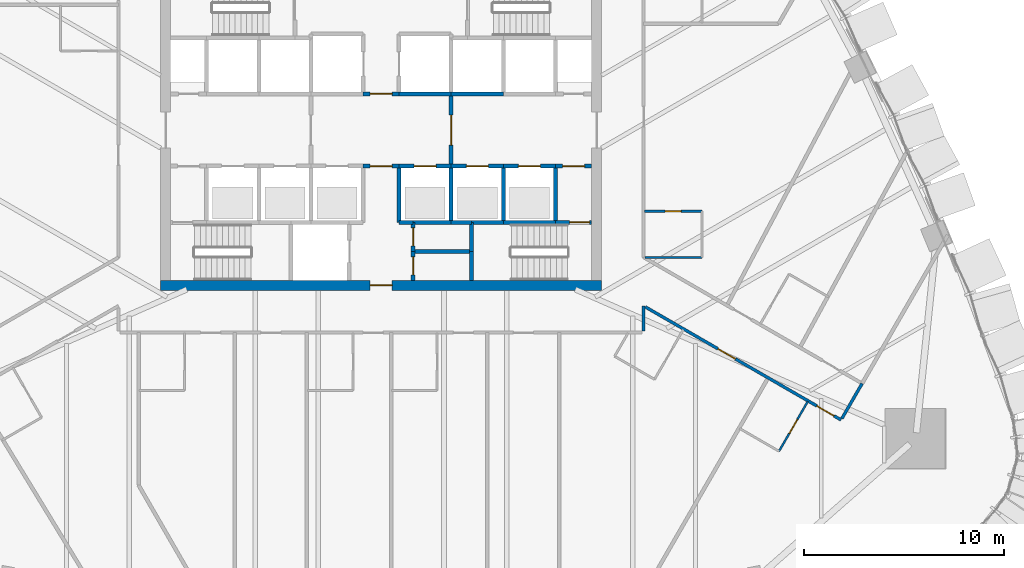
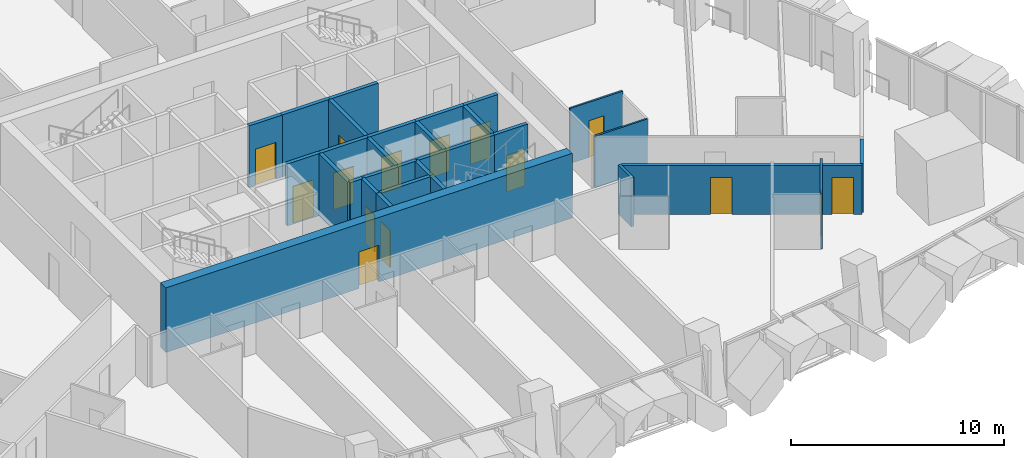
# One storey, part 15 of 22: 31 walls, 15 doors, 15 openings.
"""IFC4 building model written with IfcOpenShell, lengths in metres."""

from ifc_helpers import new_model, si_unit, direction, frame, frame_2d, origin, place, context, subcontext, project, spatial, rectangle, extrude, material, layer, layer_set, type_object, element, fill, save


model = new_model("IFC4")

# Units and contexts
model_context = context("Model", 3, precision=1e-05, world=origin(), true_north=direction((0.0, 1.0)))
body_context = subcontext(model_context, "Body", "Model", "MODEL_VIEW")
ifc_project = project(units=[si_unit("LENGTHUNIT", "METRE"), si_unit("AREAUNIT", "SQUARE_METRE"), si_unit("VOLUMEUNIT", "CUBIC_METRE"), si_unit("PLANEANGLEUNIT", "RADIAN"), si_unit("MASSUNIT", "GRAM", prefix="KILO")], contexts=[model_context])

# Site, building, storey
site_placement = place(None, origin())
site = spatial("IfcSite", under=ifc_project, at=site_placement, CompositionType="ELEMENT")
building_placement = place(site_placement, origin())
building = spatial("IfcBuilding", under=site, at=building_placement, Name="Sierra Prisma Convention Tower", CompositionType="ELEMENT")
storey_placement = place(building_placement, frame((0.0, 0.0, 66.5)))
storey = spatial("IfcBuildingStorey", under=building, at=storey_placement, Name="L12", CompositionType="ELEMENT", Elevation=66.5)

# Wall, opening, door
ifc_material_1 = material(Name="Gypsum board partition", Category="gypsum")
ifc_layer_1 = layer(ifc_material_1, 0.10009765625)
ifc_layer_set_1 = layer_set([ifc_layer_1], Name="Bathroom partition 100")
wall_type_1 = type_object("IfcWallType", Name="Bathroom partition 100", PredefinedType="PARTITIONING", material=ifc_layer_set_1)
wall_1_placement = place(storey_placement, frame((13.1298828125, -4.05078125, 0.0), z_axis=(0.0, 0.0, 1.0), x_axis=(1.0, 0.0, 0.0)))
wall_1 = element("IfcWall", 1, at=wall_1_placement, inside=storey, type_object=wall_type_1, Name="Partition L12 bath 25", PredefinedType="PARTITIONING", context=body_context, shape_type="SweptSolid", body=[
    extrude(rectangle(XDim=2.8701171875, YDim=0.10009765625, at=frame_2d((1.43505859375, 0.0))), origin(), (0.0, 0.0, 1.0), 3.14990234375),
])
opening_1_placement = place(wall_1_placement, frame((1.034912109375, 0.0, 0.0)))
opening_1 = element("IfcOpeningElement", 2, at=opening_1_placement, cuts=wall_1, Name="Opening L12-D015", PredefinedType="OPENING", context=body_context, shape_type="SweptSolid", body=[
    extrude(rectangle(XDim=0.800048828125, YDim=2.10009765625, at=frame_2d((0.39990234375, 1.050048828125))), frame((0.0, 0.050048828125, 0.0), z_axis=(0.0, -1.0, 0.0), x_axis=(1.0, 0.0, 0.0)), (0.0, 0.0, 1.0), 0.10009765625),
])
ifc_material_2 = material(Name="Solid core timber door leaf", Category="wood")
door_type_1 = type_object("IfcDoorType", Name="Door 800x2100 plain", OperationType="SINGLE_SWING_LEFT", PredefinedType="DOOR", material=ifc_material_2)
door_1_placement = place(opening_1_placement, origin())
door_1 = element("IfcDoor", 3, at=door_1_placement, inside=storey, type_object=door_type_1, Name="Door L12 37", OperationType="SINGLE_SWING_RIGHT", OverallHeight=2.10009765625, OverallWidth=0.800048828125, PredefinedType="DOOR", context=body_context, shape_type="SweptSolid", body=[
    extrude(rectangle(XDim=0.800048828125, YDim=2.10009765625, at=frame_2d((0.39990234375, 1.050048828125))), frame((0.0, 0.02490234375, 0.0), z_axis=(0.0, -1.0, 0.0), x_axis=(1.0, 0.0, 0.0)), (0.0, 0.0, 1.0), 0.050048828125),
])
fill(opening_1, door_1)

# Wall
wall_2_placement = place(storey_placement, frame((16.0, -6.350830078125, 0.0), z_axis=(0.0, 0.0, 1.0), x_axis=(-1.0, 0.0, 0.0)))
element("IfcWall", 4, at=wall_2_placement, inside=storey, type_object=wall_type_1, Name="Partition L12 bath 27", PredefinedType="PARTITIONING", context=body_context, shape_type="SweptSolid", body=[
    extrude(rectangle(XDim=2.840087890625, YDim=0.10009765625, at=frame_2d((1.419921875, 0.0))), origin(), (0.0, 0.0, 1.0), 2.947021484375),
])

# Wall, opening, door
wall_3_placement = place(storey_placement, frame((21.2861328125, -13.53662109375, 0.0), z_axis=(0.0, 0.0, 1.0), x_axis=(-0.499999802827, -0.866025517622, 0.0)))
wall_3 = element("IfcWall", 5, at=wall_3_placement, inside=storey, type_object=wall_type_1, Name="Partition L12 bath 30", PredefinedType="PARTITIONING", context=body_context, shape_type="SweptSolid", body=[
    extrude(rectangle(XDim=2.8701171875, YDim=0.10009765625, at=frame_2d((1.43505859375, 0.0))), origin(), (0.0, 0.0, 1.0), 3.14990234375),
])
opening_2_placement = place(wall_3_placement, frame((1.034912109375, 0.0, 0.0)))
opening_2 = element("IfcOpeningElement", 6, at=opening_2_placement, cuts=wall_3, Name="Opening L12-D013", PredefinedType="OPENING", context=body_context, shape_type="SweptSolid", body=[
    extrude(rectangle(XDim=0.800048828125, YDim=2.10009765625, at=frame_2d((0.39990234375, 1.050048828125))), frame((0.0, 0.050048828125, 0.0), z_axis=(0.0, -1.0, 0.0), x_axis=(1.0, 0.0, 0.0)), (0.0, 0.0, 1.0), 0.10009765625),
])
door_2_placement = place(opening_2_placement, origin())
door_2 = element("IfcDoor", 7, at=door_2_placement, inside=storey, type_object=door_type_1, Name="Door L12 32", OperationType="SINGLE_SWING_RIGHT", OverallHeight=2.10009765625, OverallWidth=0.800048828125, PredefinedType="DOOR", context=body_context, shape_type="SweptSolid", body=[
    extrude(rectangle(XDim=0.800048828125, YDim=2.10009765625, at=frame_2d((0.39990234375, 1.050048828125))), frame((0.0, 0.02490234375, 0.0), z_axis=(0.0, -1.0, 0.0), x_axis=(1.0, 0.0, 0.0)), (0.0, 0.0, 1.0), 0.050048828125),
])
fill(opening_2, door_2)

ifc_material_3 = material(Name="Concrete C30/37", Category="concrete")
ifc_layer_2 = layer(ifc_material_3, 0.199951171875)
ifc_layer_set_2 = layer_set([ifc_layer_2], Name="Core wall RC 200 C30/37")
wall_type_2 = type_object("IfcWallType", Name="Core wall RC 200 C30/37", PredefinedType="SOLIDWALL", material=ifc_layer_set_2)
wall_4_placement = place(storey_placement, frame((-0.89990234375, -1.800048828125, 0.0), z_axis=(0.0, 0.0, 1.0), x_axis=(1.0, 0.0, 0.0)))
wall_4 = element("IfcWall", 8, at=wall_4_placement, inside=storey, type_object=wall_type_2, Name="Core wall L12 33", PredefinedType="SOLIDWALL", context=body_context, shape_type="SweptSolid", body=[
    extrude(rectangle(XDim=1.7998046875, YDim=0.199951171875, at=frame_2d((0.89990234375, 0.0))), origin(), (0.0, 0.0, 1.0), 3.550048828125),
])
opening_3_placement = place(wall_4_placement, frame((0.35009765625, 0.0, 0.0)))
opening_3 = element("IfcOpeningElement", 9, at=opening_3_placement, cuts=wall_4, Name="Opening L12-D030", PredefinedType="OPENING", context=body_context, shape_type="SweptSolid", body=[
    extrude(rectangle(XDim=1.10009765625, YDim=2.10009765625, at=frame_2d((0.550048828125, 1.050048828125))), frame((0.0, 0.10009765625, 0.0), z_axis=(0.0, -1.0, 0.0), x_axis=(1.0, 0.0, 0.0)), (0.0, 0.0, 1.0), 0.199951171875),
])
ifc_material_4 = material(Name="Steel fire door leaf", Category="steel")
door_type_2 = type_object("IfcDoorType", Name="Door 1100x2100 FD30S", OperationType="SINGLE_SWING_LEFT", PredefinedType="DOOR", material=ifc_material_4)
door_3_placement = place(opening_3_placement, origin())
door_3 = element("IfcDoor", 10, at=door_3_placement, inside=storey, type_object=door_type_2, Name="Door L12 52", OperationType="SINGLE_SWING_RIGHT", OverallHeight=2.10009765625, OverallWidth=1.10009765625, PredefinedType="DOOR", context=body_context, shape_type="SweptSolid", body=[
    extrude(rectangle(XDim=1.10009765625, YDim=2.10009765625, at=frame_2d((0.550048828125, 1.050048828125))), frame((0.0, 0.02490234375, 0.0), z_axis=(0.0, -1.0, 0.0), x_axis=(1.0, 0.0, 0.0)), (0.0, 0.0, 1.0), 0.050048828125),
])
fill(opening_3, door_3)

wall_5_placement = place(storey_placement, frame((0.89990234375, 1.800048828125, 0.0), z_axis=(0.0, 0.0, 1.0), x_axis=(-1.0, 0.0, 0.0)))
wall_5 = element("IfcWall", 11, at=wall_5_placement, inside=storey, type_object=wall_type_2, Name="Core wall L12 34", PredefinedType="SOLIDWALL", context=body_context, shape_type="SweptSolid", body=[
    extrude(rectangle(XDim=1.7998046875, YDim=0.199951171875, at=frame_2d((0.89990234375, 0.0))), origin(), (0.0, 0.0, 1.0), 3.550048828125),
])
opening_4_placement = place(wall_5_placement, frame((0.35009765625, 0.0, 0.0)))
opening_4 = element("IfcOpeningElement", 12, at=opening_4_placement, cuts=wall_5, Name="Opening L12-D029", PredefinedType="OPENING", context=body_context, shape_type="SweptSolid", body=[
    extrude(rectangle(XDim=1.10009765625, YDim=2.10009765625, at=frame_2d((0.550048828125, 1.050048828125))), frame((0.0, 0.10009765625, 0.0), z_axis=(0.0, -1.0, 0.0), x_axis=(1.0, 0.0, 0.0)), (0.0, 0.0, 1.0), 0.199951171875),
])
ifc_material_5 = material(Name="Steel fire door leaf", Category="steel")
door_type_3 = type_object("IfcDoorType", Name="Door 1100x2100 FD60S", OperationType="SINGLE_SWING_LEFT", PredefinedType="DOOR", material=ifc_material_5)
door_4_placement = place(opening_4_placement, origin())
door_4 = element("IfcDoor", 13, at=door_4_placement, inside=storey, type_object=door_type_3, Name="Door L12 51", OperationType="SINGLE_SWING_LEFT", OverallHeight=2.10009765625, OverallWidth=1.10009765625, PredefinedType="DOOR", context=body_context, shape_type="SweptSolid", body=[
    extrude(rectangle(XDim=1.10009765625, YDim=2.10009765625, at=frame_2d((0.550048828125, 1.050048828125))), frame((0.0, 0.02490234375, 0.0), z_axis=(0.0, -1.0, 0.0), x_axis=(1.0, 0.0, 0.0)), (0.0, 0.0, 1.0), 0.050048828125),
])
fill(opening_4, door_4)

wall_6_placement = place(storey_placement, frame((0.89990234375, -1.800048828125, 0.0), z_axis=(0.0, 0.0, 1.0), x_axis=(1.0, 0.0, 0.0)))
wall_6 = element("IfcWall", 14, at=wall_6_placement, inside=storey, type_object=wall_type_2, Name="Core wall L12 35", PredefinedType="SOLIDWALL", context=body_context, shape_type="SweptSolid", body=[
    extrude(rectangle(XDim=2.60009765625, YDim=0.199951171875, at=frame_2d((1.300048828125, 0.0))), origin(), (0.0, 0.0, 1.0), 3.550048828125),
])
opening_5_placement = place(wall_6_placement, frame((0.75, 0.0, 0.0)))
opening_5 = element("IfcOpeningElement", 15, at=opening_5_placement, cuts=wall_6, Name="Opening L12-D019", PredefinedType="OPENING", context=body_context, shape_type="SweptSolid", body=[
    extrude(rectangle(XDim=1.10009765625, YDim=2.10009765625, at=frame_2d((0.550048828125, 1.050048828125))), frame((0.0, 0.10009765625, 0.0), z_axis=(0.0, -1.0, 0.0), x_axis=(1.0, 0.0, 0.0)), (0.0, 0.0, 1.0), 0.199951171875),
])
ifc_material_6 = material(Name="Steel fire door leaf", Category="steel")
door_type_4 = type_object("IfcDoorType", Name="Door 1100x2100 EI 90 sliding lift landing", OperationType="SLIDING_TO_LEFT", PredefinedType="DOOR", material=ifc_material_6)
door_5_placement = place(opening_5_placement, origin())
door_5 = element("IfcDoor", 16, at=door_5_placement, inside=storey, type_object=door_type_4, Name="Door L12 41", OperationType="SLIDING_TO_RIGHT", OverallHeight=2.10009765625, OverallWidth=1.10009765625, PredefinedType="DOOR", context=body_context, shape_type="SweptSolid", body=[
    extrude(rectangle(XDim=1.10009765625, YDim=2.10009765625, at=frame_2d((0.550048828125, 1.050048828125))), frame((0.0, 0.02490234375, 0.0), z_axis=(0.0, -1.0, 0.0), x_axis=(1.0, 0.0, 0.0)), (0.0, 0.0, 1.0), 0.050048828125),
])
fill(opening_5, door_5)

# Walls
wall_7_placement = place(storey_placement, frame((0.89990234375, -1.800048828125, 0.0), z_axis=(0.0, 0.0, 1.0), x_axis=(0.0, -1.0, 0.0)))
element("IfcWall", 17, at=wall_7_placement, inside=storey, type_object=wall_type_2, Name="Core wall L12 36", PredefinedType="SOLIDWALL", context=body_context, shape_type="SweptSolid", body=[
    extrude(rectangle(XDim=2.800048828125, YDim=0.199951171875, at=frame_2d((1.39990234375, 0.0))), origin(), (0.0, 0.0, 1.0), 3.550048828125),
])
wall_8_placement = place(storey_placement, frame((0.89990234375, -4.60009765625, 0.0), z_axis=(0.0, 0.0, 1.0), x_axis=(1.0, 0.0, 0.0)))
element("IfcWall", 18, at=wall_8_placement, inside=storey, type_object=wall_type_2, Name="Core wall L12 37", PredefinedType="SOLIDWALL", context=body_context, shape_type="SweptSolid", body=[
    extrude(rectangle(XDim=0.7001953125, YDim=0.199951171875, at=frame_2d((0.35009765625, 0.0))), origin(), (0.0, 0.0, 1.0), 3.550048828125),
])
wall_9_placement = place(storey_placement, frame((3.5, 1.800048828125, 0.0), z_axis=(0.0, 0.0, 1.0), x_axis=(-1.0, 0.0, 0.0)))
element("IfcWall", 19, at=wall_9_placement, inside=storey, type_object=wall_type_2, Name="Core wall L12 38", PredefinedType="SOLIDWALL", context=body_context, shape_type="SweptSolid", body=[
    extrude(rectangle(XDim=2.60009765625, YDim=0.199951171875, at=frame_2d((1.300048828125, 0.0))), origin(), (0.0, 0.0, 1.0), 3.550048828125),
])

# Wall, opening, door
wall_10_placement = place(storey_placement, frame((1.60009765625, -6.050048828125, 0.0), z_axis=(0.0, 0.0, 1.0), x_axis=(0.0, -1.0, 0.0)))
wall_10 = element("IfcWall", 20, at=wall_10_placement, inside=storey, type_object=wall_type_2, Name="Core wall L12 42", PredefinedType="SOLIDWALL", context=body_context, shape_type="SweptSolid", body=[
    extrude(rectangle(XDim=1.449951171875, YDim=0.199951171875, at=frame_2d((0.72509765625, 0.0))), origin(), (0.0, 0.0, 1.0), 3.550048828125),
])
opening_6_placement = place(wall_10_placement, frame((0.27490234375, 0.0, 0.0)))
opening_6 = element("IfcOpeningElement", 21, at=opening_6_placement, cuts=wall_10, Name="Opening L12-D037", PredefinedType="OPENING", context=body_context, shape_type="SweptSolid", body=[
    extrude(rectangle(XDim=0.89990234375, YDim=2.10009765625, at=frame_2d((0.449951171875, 1.050048828125))), frame((0.0, 0.10009765625, 0.0), z_axis=(0.0, -1.0, 0.0), x_axis=(1.0, 0.0, 0.0)), (0.0, 0.0, 1.0), 0.199951171875),
])
ifc_material_7 = material(Name="Steel fire door leaf", Category="steel")
door_type_5 = type_object("IfcDoorType", Name="Door 900x2100 FD30S", OperationType="SINGLE_SWING_LEFT", PredefinedType="DOOR", material=ifc_material_7)
door_6_placement = place(opening_6_placement, origin())
door_6 = element("IfcDoor", 22, at=door_6_placement, inside=storey, type_object=door_type_5, Name="Door L12 59", OperationType="SINGLE_SWING_RIGHT", OverallHeight=2.10009765625, OverallWidth=0.89990234375, PredefinedType="DOOR", context=body_context, shape_type="SweptSolid", body=[
    extrude(rectangle(XDim=0.89990234375, YDim=2.10009765625, at=frame_2d((0.449951171875, 1.050048828125))), frame((0.0, 0.02490234375, 0.0), z_axis=(0.0, -1.0, 0.0), x_axis=(1.0, 0.0, 0.0)), (0.0, 0.0, 1.0), 0.050048828125),
])
fill(opening_6, door_6)

# Wall
wall_11_placement = place(storey_placement, frame((4.5, -6.050048828125, 0.0), z_axis=(0.0, 0.0, 1.0), x_axis=(-1.0, 0.0, 0.0)))
element("IfcWall", 23, at=wall_11_placement, inside=storey, type_object=wall_type_2, Name="Core wall L12 43", PredefinedType="SOLIDWALL", context=body_context, shape_type="SweptSolid", body=[
    extrude(rectangle(XDim=2.89990234375, YDim=0.199951171875, at=frame_2d((1.449951171875, 0.0))), origin(), (0.0, 0.0, 1.0), 3.550048828125),
])

# Wall, opening, door
wall_12_placement = place(storey_placement, frame((1.60009765625, -4.60009765625, 0.0), z_axis=(0.0, 0.0, 1.0), x_axis=(0.0, -1.0, 0.0)))
wall_12 = element("IfcWall", 24, at=wall_12_placement, inside=storey, type_object=wall_type_2, Name="Core wall L12 44", PredefinedType="SOLIDWALL", context=body_context, shape_type="SweptSolid", body=[
    extrude(rectangle(XDim=1.449951171875, YDim=0.199951171875, at=frame_2d((0.72509765625, 0.0))), origin(), (0.0, 0.0, 1.0), 3.550048828125),
])
opening_7_placement = place(wall_12_placement, frame((0.27490234375, 0.0, 0.0)))
opening_7 = element("IfcOpeningElement", 25, at=opening_7_placement, cuts=wall_12, Name="Opening L12-D038", PredefinedType="OPENING", context=body_context, shape_type="SweptSolid", body=[
    extrude(rectangle(XDim=0.89990234375, YDim=2.10009765625, at=frame_2d((0.449951171875, 1.050048828125))), frame((0.0, 0.10009765625, 0.0), z_axis=(0.0, -1.0, 0.0), x_axis=(1.0, 0.0, 0.0)), (0.0, 0.0, 1.0), 0.199951171875),
])
door_7_placement = place(opening_7_placement, origin())
door_7 = element("IfcDoor", 26, at=door_7_placement, inside=storey, type_object=door_type_5, Name="Door L12 60", OperationType="SINGLE_SWING_RIGHT", OverallHeight=2.10009765625, OverallWidth=0.89990234375, PredefinedType="DOOR", context=body_context, shape_type="SweptSolid", body=[
    extrude(rectangle(XDim=0.89990234375, YDim=2.10009765625, at=frame_2d((0.449951171875, 1.050048828125))), frame((0.0, 0.02490234375, 0.0), z_axis=(0.0, -1.0, 0.0), x_axis=(1.0, 0.0, 0.0)), (0.0, 0.0, 1.0), 0.050048828125),
])
fill(opening_7, door_7)

# Walls
wall_13_placement = place(storey_placement, frame((3.5, -4.60009765625, 0.0), z_axis=(0.0, 0.0, 1.0), x_axis=(-1.0, 0.0, 0.0)))
element("IfcWall", 27, at=wall_13_placement, inside=storey, type_object=wall_type_2, Name="Core wall L12 45", PredefinedType="SOLIDWALL", context=body_context, shape_type="SweptSolid", body=[
    extrude(rectangle(XDim=1.89990234375, YDim=0.199951171875, at=frame_2d((0.949951171875, 0.0))), origin(), (0.0, 0.0, 1.0), 3.550048828125),
])
wall_14_placement = place(storey_placement, frame((4.5, -4.60009765625, 0.0), z_axis=(0.0, 0.0, 1.0), x_axis=(-1.0, 0.0, 0.0)))
element("IfcWall", 28, at=wall_14_placement, inside=storey, type_object=wall_type_2, Name="Core wall L12 46", PredefinedType="SOLIDWALL", context=body_context, shape_type="SweptSolid", body=[
    extrude(rectangle(XDim=1.0, YDim=0.199951171875, at=frame_2d((0.5, 0.0))), origin(), (0.0, 0.0, 1.0), 3.550048828125),
])
wall_15_placement = place(storey_placement, frame((3.5, -4.60009765625, 0.0), z_axis=(0.0, 0.0, 1.0), x_axis=(0.0, 1.0, 0.0)))
element("IfcWall", 29, at=wall_15_placement, inside=storey, type_object=wall_type_2, Name="Core wall L12 47", PredefinedType="SOLIDWALL", context=body_context, shape_type="SweptSolid", body=[
    extrude(rectangle(XDim=2.800048828125, YDim=0.199951171875, at=frame_2d((1.39990234375, 0.0))), origin(), (0.0, 0.0, 1.0), 3.550048828125),
])

# Wall, opening, door
wall_16_placement = place(storey_placement, frame((3.5, -1.800048828125, 0.0), z_axis=(0.0, 0.0, 1.0), x_axis=(1.0, 0.0, 0.0)))
wall_16 = element("IfcWall", 30, at=wall_16_placement, inside=storey, type_object=wall_type_2, Name="Core wall L12 48", PredefinedType="SOLIDWALL", context=body_context, shape_type="SweptSolid", body=[
    extrude(rectangle(XDim=2.60009765625, YDim=0.199951171875, at=frame_2d((1.300048828125, 0.0))), origin(), (0.0, 0.0, 1.0), 3.550048828125),
])
opening_8_placement = place(wall_16_placement, frame((0.75, 0.0, 0.0)))
opening_8 = element("IfcOpeningElement", 31, at=opening_8_placement, cuts=wall_16, Name="Opening L12-D020", PredefinedType="OPENING", context=body_context, shape_type="SweptSolid", body=[
    extrude(rectangle(XDim=1.10009765625, YDim=2.10009765625, at=frame_2d((0.550048828125, 1.050048828125))), frame((0.0, 0.10009765625, 0.0), z_axis=(0.0, -1.0, 0.0), x_axis=(1.0, 0.0, 0.0)), (0.0, 0.0, 1.0), 0.199951171875),
])
door_8_placement = place(opening_8_placement, origin())
door_8 = element("IfcDoor", 32, at=door_8_placement, inside=storey, type_object=door_type_4, Name="Door L12 42", OperationType="SLIDING_TO_LEFT", OverallHeight=2.10009765625, OverallWidth=1.10009765625, PredefinedType="DOOR", context=body_context, shape_type="SweptSolid", body=[
    extrude(rectangle(XDim=1.10009765625, YDim=2.10009765625, at=frame_2d((0.550048828125, 1.050048828125))), frame((0.0, 0.02490234375, 0.0), z_axis=(0.0, -1.0, 0.0), x_axis=(1.0, 0.0, 0.0)), (0.0, 0.0, 1.0), 0.050048828125),
])
fill(opening_8, door_8)

wall_17_placement = place(storey_placement, frame((3.5, -1.800048828125, 0.0), z_axis=(0.0, 0.0, 1.0), x_axis=(0.0, 1.0, 0.0)))
wall_17 = element("IfcWall", 33, at=wall_17_placement, inside=storey, type_object=wall_type_2, Name="Core wall L12 49", PredefinedType="SOLIDWALL", context=body_context, shape_type="SweptSolid", body=[
    extrude(rectangle(XDim=3.60009765625, YDim=0.199951171875, at=frame_2d((1.800048828125, 0.0))), origin(), (0.0, 0.0, 1.0), 3.550048828125),
])
opening_9_placement = place(wall_17_placement, frame((1.050048828125, 0.0, 0.0)))
opening_9 = element("IfcOpeningElement", 34, at=opening_9_placement, cuts=wall_17, Name="Opening L12-D026", PredefinedType="OPENING", context=body_context, shape_type="SweptSolid", body=[
    extrude(rectangle(XDim=1.5, YDim=2.10009765625, at=frame_2d((0.75, 1.050048828125))), frame((0.0, 0.10009765625, 0.0), z_axis=(0.0, -1.0, 0.0), x_axis=(1.0, 0.0, 0.0)), (0.0, 0.0, 1.0), 0.199951171875),
])
ifc_material_8 = material(Name="Steel fire door leaf", Category="steel")
door_type_6 = type_object("IfcDoorType", Name="Door 1500x2100 FD30S", OperationType="DOUBLE_DOOR_SINGLE_SWING", PredefinedType="DOOR", material=ifc_material_8)
door_9_placement = place(opening_9_placement, origin())
door_9 = element("IfcDoor", 35, at=door_9_placement, inside=storey, type_object=door_type_6, Name="Door L12 48", OperationType="DOUBLE_DOOR_SINGLE_SWING", OverallHeight=2.10009765625, OverallWidth=1.5, PredefinedType="DOOR", context=body_context, shape_type="SweptSolid", body=[
    extrude(rectangle(XDim=1.5, YDim=2.10009765625, at=frame_2d((0.75, 1.050048828125))), frame((0.0, 0.02490234375, 0.0), z_axis=(0.0, -1.0, 0.0), x_axis=(1.0, 0.0, 0.0)), (0.0, 0.0, 1.0), 0.050048828125),
])
fill(opening_9, door_9)

# Walls
wall_18_placement = place(storey_placement, frame((6.10009765625, 1.800048828125, 0.0), z_axis=(0.0, 0.0, 1.0), x_axis=(-1.0, 0.0, 0.0)))
element("IfcWall", 36, at=wall_18_placement, inside=storey, type_object=wall_type_2, Name="Core wall L12 50", PredefinedType="SOLIDWALL", context=body_context, shape_type="SweptSolid", body=[
    extrude(rectangle(XDim=2.60009765625, YDim=0.199951171875, at=frame_2d((1.300048828125, 0.0))), origin(), (0.0, 0.0, 1.0), 3.550048828125),
])
for number, where, z_axis, x_axis, name in (
    (37, (4.5, -7.5, 0.0), (0.0, 0.0, 1.0), (0.0, 1.0, 0.0), "Core wall L12 55"),
    (38, (4.5, -6.050048828125, 0.0), (0.0, 0.0, 1.0), (0.0, 1.0, 0.0), "Core wall L12 56"),
):
    element("IfcWall", number, at=place(storey_placement, frame(where, z_axis=z_axis, x_axis=x_axis)), inside=storey, type_object=wall_type_2, Name=name, PredefinedType="SOLIDWALL", context=body_context, shape_type="SweptSolid", body=[
        extrude(rectangle(XDim=1.449951171875, YDim=0.199951171875, at=frame_2d((0.72509765625, 0.0))), origin(), (0.0, 0.0, 1.0), 3.550048828125),
    ])
wall_19_placement = place(storey_placement, frame((4.5, -4.60009765625, 0.0), z_axis=(0.0, 0.0, 1.0), x_axis=(1.0, 0.0, 0.0)))
element("IfcWall", 39, at=wall_19_placement, inside=storey, type_object=wall_type_2, Name="Core wall L12 57", PredefinedType="SOLIDWALL", context=body_context, shape_type="SweptSolid", body=[
    extrude(rectangle(XDim=1.60009765625, YDim=0.199951171875, at=frame_2d((0.800048828125, 0.0))), origin(), (0.0, 0.0, 1.0), 3.550048828125),
])
wall_20_placement = place(storey_placement, frame((6.10009765625, -4.60009765625, 0.0), z_axis=(0.0, 0.0, 1.0), x_axis=(1.0, 0.0, 0.0)))
element("IfcWall", 40, at=wall_20_placement, inside=storey, type_object=wall_type_2, Name="Core wall L12 58", PredefinedType="SOLIDWALL", context=body_context, shape_type="SweptSolid", body=[
    extrude(rectangle(XDim=2.599853515625, YDim=0.199951171875, at=frame_2d((1.2998046875, 0.0))), origin(), (0.0, 0.0, 1.0), 3.550048828125),
])
wall_21_placement = place(storey_placement, frame((6.10009765625, -4.60009765625, 0.0), z_axis=(0.0, 0.0, 1.0), x_axis=(0.0, 1.0, 0.0)))
element("IfcWall", 41, at=wall_21_placement, inside=storey, type_object=wall_type_2, Name="Core wall L12 59", PredefinedType="SOLIDWALL", context=body_context, shape_type="SweptSolid", body=[
    extrude(rectangle(XDim=2.800048828125, YDim=0.199951171875, at=frame_2d((1.39990234375, 0.0))), origin(), (0.0, 0.0, 1.0), 3.550048828125),
])

# Wall, opening, door
wall_22_placement = place(storey_placement, frame((6.10009765625, -1.800048828125, 0.0), z_axis=(0.0, 0.0, 1.0), x_axis=(1.0, 0.0, 0.0)))
wall_22 = element("IfcWall", 42, at=wall_22_placement, inside=storey, type_object=wall_type_2, Name="Core wall L12 60", PredefinedType="SOLIDWALL", context=body_context, shape_type="SweptSolid", body=[
    extrude(rectangle(XDim=2.599853515625, YDim=0.199951171875, at=frame_2d((1.2998046875, 0.0))), origin(), (0.0, 0.0, 1.0), 3.550048828125),
])
opening_10_placement = place(wall_22_placement, frame((0.75, 0.0, 0.0)))
opening_10 = element("IfcOpeningElement", 43, at=opening_10_placement, cuts=wall_22, Name="Opening L12-D021", PredefinedType="OPENING", context=body_context, shape_type="SweptSolid", body=[
    extrude(rectangle(XDim=1.10009765625, YDim=2.10009765625, at=frame_2d((0.550048828125, 1.050048828125))), frame((0.0, 0.10009765625, 0.0), z_axis=(0.0, -1.0, 0.0), x_axis=(1.0, 0.0, 0.0)), (0.0, 0.0, 1.0), 0.199951171875),
])
door_10_placement = place(opening_10_placement, origin())
door_10 = element("IfcDoor", 44, at=door_10_placement, inside=storey, type_object=door_type_4, Name="Door L12 43", OperationType="SLIDING_TO_LEFT", OverallHeight=2.10009765625, OverallWidth=1.10009765625, PredefinedType="DOOR", context=body_context, shape_type="SweptSolid", body=[
    extrude(rectangle(XDim=1.10009765625, YDim=2.10009765625, at=frame_2d((0.550048828125, 1.050048828125))), frame((0.0, 0.02490234375, 0.0), z_axis=(0.0, -1.0, 0.0), x_axis=(1.0, 0.0, 0.0)), (0.0, 0.0, 1.0), 0.050048828125),
])
fill(opening_10, door_10)

wall_23_placement = place(storey_placement, frame((8.699951171875, -4.60009765625, 0.0), z_axis=(0.0, 0.0, 1.0), x_axis=(1.0, 0.0, 0.0)))
wall_23 = element("IfcWall", 45, at=wall_23_placement, inside=storey, type_object=wall_type_2, Name="Core wall L12 64", PredefinedType="SOLIDWALL", context=body_context, shape_type="SweptSolid", body=[
    extrude(rectangle(XDim=1.800048828125, YDim=0.199951171875, at=frame_2d((0.89990234375, 0.0))), origin(), (0.0, 0.0, 1.0), 3.550048828125),
])
opening_11_placement = place(wall_23_placement, frame((0.699951171875, 0.0, 0.0)))
opening_11 = element("IfcOpeningElement", 46, at=opening_11_placement, cuts=wall_23, Name="Opening L12-D034", PredefinedType="OPENING", context=body_context, shape_type="SweptSolid", body=[
    extrude(rectangle(XDim=1.0, YDim=2.10009765625, at=frame_2d((0.5, 1.050048828125))), frame((0.0, 0.10009765625, 0.0), z_axis=(0.0, -1.0, 0.0), x_axis=(1.0, 0.0, 0.0)), (0.0, 0.0, 1.0), 0.199951171875),
])
ifc_material_9 = material(Name="Steel fire door leaf", Category="steel")
door_type_7 = type_object("IfcDoorType", Name="Door 1000x2100 FD90S", OperationType="SINGLE_SWING_LEFT", PredefinedType="DOOR", material=ifc_material_9)
door_11_placement = place(opening_11_placement, origin())
door_11 = element("IfcDoor", 47, at=door_11_placement, inside=storey, type_object=door_type_7, Name="Door L12 56", OperationType="SINGLE_SWING_RIGHT", OverallHeight=2.10009765625, OverallWidth=1.0, PredefinedType="DOOR", context=body_context, shape_type="SweptSolid", body=[
    extrude(rectangle(XDim=1.0, YDim=2.10009765625, at=frame_2d((0.5, 1.050048828125))), frame((0.0, 0.02490234375, 0.0), z_axis=(0.0, -1.0, 0.0), x_axis=(1.0, 0.0, 0.0)), (0.0, 0.0, 1.0), 0.050048828125),
])
fill(opening_11, door_11)

# Wall
wall_24_placement = place(storey_placement, frame((8.699951171875, -1.800048828125, 0.0), z_axis=(0.0, 0.0, 1.0), x_axis=(0.0, -1.0, 0.0)))
element("IfcWall", 48, at=wall_24_placement, inside=storey, type_object=wall_type_2, Name="Core wall L12 65", PredefinedType="SOLIDWALL", context=body_context, shape_type="SweptSolid", body=[
    extrude(rectangle(XDim=2.800048828125, YDim=0.199951171875, at=frame_2d((1.39990234375, 0.0))), origin(), (0.0, 0.0, 1.0), 3.550048828125),
])

# Wall, opening, door
wall_25_placement = place(storey_placement, frame((8.699951171875, -1.800048828125, 0.0), z_axis=(0.0, 0.0, 1.0), x_axis=(1.0, 0.0, 0.0)))
wall_25 = element("IfcWall", 49, at=wall_25_placement, inside=storey, type_object=wall_type_2, Name="Core wall L12 66", PredefinedType="SOLIDWALL", context=body_context, shape_type="SweptSolid", body=[
    extrude(rectangle(XDim=1.800048828125, YDim=0.199951171875, at=frame_2d((0.89990234375, 0.0))), origin(), (0.0, 0.0, 1.0), 3.550048828125),
])
opening_12_placement = place(wall_25_placement, frame((0.35009765625, 0.0, 0.0)))
opening_12 = element("IfcOpeningElement", 50, at=opening_12_placement, cuts=wall_25, Name="Opening L12-D028", PredefinedType="OPENING", context=body_context, shape_type="SweptSolid", body=[
    extrude(rectangle(XDim=1.10009765625, YDim=2.10009765625, at=frame_2d((0.550048828125, 1.050048828125))), frame((0.0, 0.10009765625, 0.0), z_axis=(0.0, -1.0, 0.0), x_axis=(1.0, 0.0, 0.0)), (0.0, 0.0, 1.0), 0.199951171875),
])
ifc_material_10 = material(Name="Steel fire door leaf", Category="steel")
door_type_8 = type_object("IfcDoorType", Name="Door 1100x2100 FD90S", OperationType="SINGLE_SWING_LEFT", PredefinedType="DOOR", material=ifc_material_10)
door_12_placement = place(opening_12_placement, origin())
door_12 = element("IfcDoor", 51, at=door_12_placement, inside=storey, type_object=door_type_8, Name="Door L12 50", OperationType="SINGLE_SWING_LEFT", OverallHeight=2.10009765625, OverallWidth=1.10009765625, PredefinedType="DOOR", context=body_context, shape_type="SweptSolid", body=[
    extrude(rectangle(XDim=1.10009765625, YDim=2.10009765625, at=frame_2d((0.550048828125, 1.050048828125))), frame((0.0, 0.02490234375, 0.0), z_axis=(0.0, -1.0, 0.0), x_axis=(1.0, 0.0, 0.0)), (0.0, 0.0, 1.0), 0.050048828125),
])
fill(opening_12, door_12)

ifc_material_11 = material(Name="Concrete C60/75", Category="concrete")
ifc_layer_3 = layer(ifc_material_11, 0.5)
ifc_layer_set_3 = layer_set([ifc_layer_3], Name="Core wall RC 500 C60/75")
wall_type_3 = type_object("IfcWallType", Name="Core wall RC 500 C60/75", PredefinedType="SHEAR", material=ifc_layer_set_3)
wall_26_placement = place(storey_placement, frame((-11.0, -7.75, 0.0), z_axis=(0.0, 0.0, 1.0), x_axis=(1.0, 0.0, 0.0)))
wall_26 = element("IfcWall", 52, at=wall_26_placement, inside=storey, type_object=wall_type_3, Name="Core wall S L12", PredefinedType="SHEAR", context=body_context, shape_type="SweptSolid", body=[
    extrude(rectangle(XDim=22.0, YDim=0.5, at=frame_2d((11.0, 0.0))), origin(), (0.0, 0.0, 1.0), 3.699951171875),
])
opening_13_placement = place(wall_26_placement, frame((10.449951171875, 0.0, 0.0)))
opening_13 = element("IfcOpeningElement", 53, at=opening_13_placement, cuts=wall_26, Name="Opening L12-D063", PredefinedType="OPENING", context=body_context, shape_type="SweptSolid", body=[
    extrude(rectangle(XDim=1.10009765625, YDim=2.10009765625, at=frame_2d((0.550048828125, 1.050048828125))), frame((0.0, 0.25, 0.0), z_axis=(0.0, -1.0, 0.0), x_axis=(1.0, 0.0, 0.0)), (0.0, 0.0, 1.0), 0.5),
])
door_13_placement = place(opening_13_placement, origin())
door_13 = element("IfcDoor", 54, at=door_13_placement, inside=storey, type_object=door_type_2, Name="Door L12 64", OperationType="SINGLE_SWING_LEFT", OverallHeight=2.10009765625, OverallWidth=1.10009765625, PredefinedType="DOOR", context=body_context, shape_type="SweptSolid", body=[
    extrude(rectangle(XDim=1.10009765625, YDim=2.10009765625, at=frame_2d((0.550048828125, 1.050048828125))), frame((0.0, 0.02490234375, 0.0), z_axis=(0.0, -1.0, 0.0), x_axis=(1.0, 0.0, 0.0)), (0.0, 0.0, 1.0), 0.050048828125),
])
fill(opening_13, door_13)

# Wall
ifc_material_12 = material(Name="Gypsum board partition", Category="gypsum")
ifc_layer_4 = layer(ifc_material_12, 0.14990234375)
ifc_layer_set_4 = layer_set([ifc_layer_4], Name="Corridor wall 150 gypsum EI 60")
wall_type_4 = type_object("IfcWallType", Name="Corridor wall 150 gypsum EI 60", PredefinedType="PARTITIONING", material=ifc_layer_set_4)
wall_27_placement = place(storey_placement, frame((13.10009765625, -10.02001953125, 0.0), z_axis=(0.0, 0.0, 1.0), x_axis=(0.0, 1.0, 0.0)))
element("IfcWall", 55, at=wall_27_placement, inside=storey, type_object=wall_type_4, Name="Partition L12 corr 13", PredefinedType="PARTITIONING", context=body_context, shape_type="SweptSolid", body=[
    extrude(rectangle(XDim=1.244384765625, YDim=0.14990234375, at=frame_2d((0.6220703125, 0.0))), origin(), (0.0, 0.0, 1.0), 2.797119140625),
])

# Wall, openings, doors
wall_28_placement = place(storey_placement, frame((13.17919921875, -8.821533203125, 0.0), z_axis=(0.0, 0.0, 1.0), x_axis=(0.866025893256, -0.499999152209, 0.0)))
wall_28 = element("IfcWall", 56, at=wall_28_placement, inside=storey, type_object=wall_type_4, Name="Partition L12 corr 14", PredefinedType="PARTITIONING", context=body_context, shape_type="SweptSolid", body=[
    extrude(rectangle(XDim=11.2783203125, YDim=0.14990234375, at=frame_2d((5.63916015625, 0.0))), origin(), (0.0, 0.0, 1.0), 2.797119140625),
])
opening_14_placement = place(wall_28_placement, frame((4.193359375, 0.0, 0.0)))
opening_14 = element("IfcOpeningElement", 57, at=opening_14_placement, cuts=wall_28, Name="Opening L12-D056", PredefinedType="OPENING", context=body_context, shape_type="SweptSolid", body=[
    extrude(rectangle(XDim=1.0, YDim=2.10009765625, at=frame_2d((0.5, 1.050048828125))), frame((0.0, 0.074951171875, 0.0), z_axis=(0.0, -1.0, 0.0), x_axis=(1.0, 0.0, 0.0)), (0.0, 0.0, 1.0), 0.14990234375),
])
opening_15_placement = place(wall_28_placement, frame((9.878173828125, 0.0, 0.0)))
opening_15 = element("IfcOpeningElement", 58, at=opening_15_placement, cuts=wall_28, Name="Opening L12-D057", PredefinedType="OPENING", context=body_context, shape_type="SweptSolid", body=[
    extrude(rectangle(XDim=1.0, YDim=2.10009765625, at=frame_2d((0.5, 1.050048828125))), frame((0.0, 0.074951171875, 0.0), z_axis=(0.0, -1.0, 0.0), x_axis=(1.0, 0.0, 0.0)), (0.0, 0.0, 1.0), 0.14990234375),
])
ifc_material_13 = material(Name="Steel fire door leaf", Category="steel")
door_type_9 = type_object("IfcDoorType", Name="Door 1000x2100 FD30S", OperationType="SINGLE_SWING_LEFT", PredefinedType="DOOR", material=ifc_material_13)
door_14_placement = place(opening_14_placement, origin())
door_14 = element("IfcDoor", 59, at=door_14_placement, inside=storey, type_object=door_type_9, Name="Door L12 29", OperationType="SINGLE_SWING_LEFT", OverallHeight=2.10009765625, OverallWidth=1.0, PredefinedType="DOOR", context=body_context, shape_type="SweptSolid", body=[
    extrude(rectangle(XDim=1.0, YDim=2.10009765625, at=frame_2d((0.5, 1.050048828125))), frame((0.0, 0.02490234375, 0.0), z_axis=(0.0, -1.0, 0.0), x_axis=(1.0, 0.0, 0.0)), (0.0, 0.0, 1.0), 0.050048828125),
])
fill(opening_14, door_14)
door_15_placement = place(opening_15_placement, origin())
door_15 = element("IfcDoor", 60, at=door_15_placement, inside=storey, type_object=door_type_9, Name="Door L12 31", OperationType="SINGLE_SWING_LEFT", OverallHeight=2.10009765625, OverallWidth=1.0, PredefinedType="DOOR", context=body_context, shape_type="SweptSolid", body=[
    extrude(rectangle(XDim=1.0, YDim=2.10009765625, at=frame_2d((0.5, 1.050048828125))), frame((0.0, 0.02490234375, 0.0), z_axis=(0.0, -1.0, 0.0), x_axis=(1.0, 0.0, 0.0)), (0.0, 0.0, 1.0), 0.050048828125),
])
fill(opening_15, door_15)

# Wall
wall_29_placement = place(storey_placement, frame((22.986572265625, -14.391357421875, 0.0), z_axis=(0.0, 0.0, 1.0), x_axis=(0.500025864173, 0.866010470582, 0.0)))
element("IfcWall", 61, at=wall_29_placement, inside=storey, type_object=wall_type_4, Name="Partition L12 corr 15", PredefinedType="PARTITIONING", context=body_context, shape_type="SweptSolid", body=[
    extrude(rectangle(XDim=2.02001953125, YDim=0.14990234375, at=frame_2d((1.010009765625, 0.0))), origin(), (0.0, 0.0, 1.0), 2.797119140625),
])

save(model, "model.ifc")
